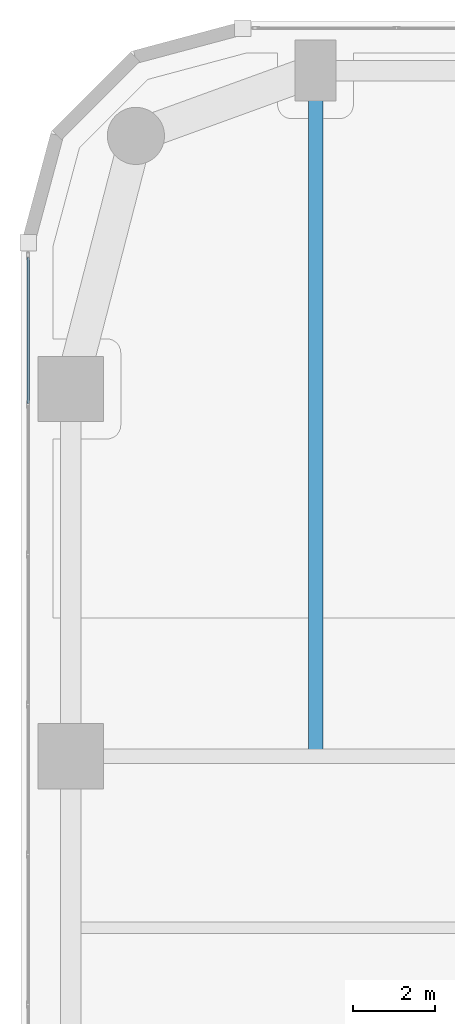
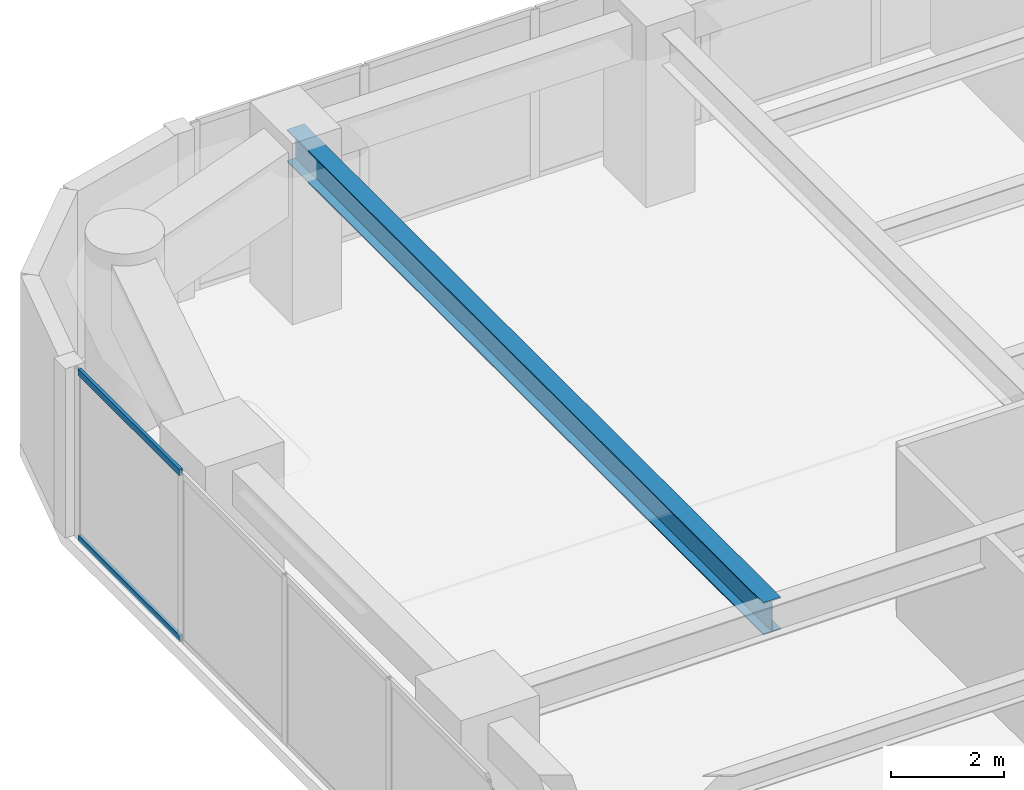
# One storey, part 13 of 28: 2 members, 1 beam, 1 element without a shape of its own.
"""IFC4 building model written with IfcOpenShell, lengths in metres."""

import ifcopenshell
import ifcopenshell.guid

model = None  # the IFC model being written
_history = None  # IfcOwnerHistory: only IFC2X3 demands one
_inside = {}  # id of a spatial element -> (the spatial element, [elements in it])
_under = {}  # id of a project, library or spatial element -> (it, [spatial elements below it])
_declared = {}  # id of a project -> (the project, [libraries it declares])
_typed = {}  # id of a type object -> (the type object, [elements of that type])
_made_of = {}  # id of a material, layer set ... -> (it, [elements and type objects made of it])


def new_model(schema):
    """Start an empty IFC model of exactly this schema.

    Asked for "IFC4X3", IfcOpenShell would pick the latest addendum, in which some entities
    have other attributes; the version numbers below select the first issue.
    IFC2X3 requires an IfcOwnerHistory on every rooted entity: one is made here for all.
    """
    global model, _history
    if schema == "IFC4X3":
        model = ifcopenshell.file(schema_version=(4, 3, 0, 0))
    else:
        model = ifcopenshell.file(schema=schema)
    _inside.clear()
    _under.clear()
    _declared.clear()
    _typed.clear()
    _made_of.clear()
    _history = None
    if model.schema == "IFC2X3":
        org = make("IfcOrganization", Name="unknown")
        user = make(
            "IfcPersonAndOrganization",
            ThePerson=make("IfcPerson", FamilyName="unknown"),
            TheOrganization=org,
        )
        app = make(
            "IfcApplication",
            ApplicationDeveloper=org,
            Version="unknown",
            ApplicationFullName="unknown",
            ApplicationIdentifier="unknown",
        )
        _history = make(
            "IfcOwnerHistory",
            OwningUser=user,
            OwningApplication=app,
            ChangeAction="ADDED",
            CreationDate=0,
        )
    return model


def make(cls, **values):
    """One entity of the class cls with the attributes given. An attribute that is None is left unset."""
    return model.create_entity(
        cls, **{name: value for name, value in values.items() if value is not None}
    )


def rooted(cls, **values):
    """An entity with a GlobalId (a new one), such as an element, a storey or a relation."""
    return make(cls, GlobalId=ifcopenshell.guid.new(), OwnerHistory=_history, **values)


def si_unit(unit_type, name, prefix=None):
    """IfcSIUnit, for example si_unit("LENGTHUNIT", "METRE", prefix="MILLI")."""
    return make("IfcSIUnit", UnitType=unit_type, Prefix=prefix, Name=name)


def assignment(units):
    """IfcUnitAssignment: the units of a project."""
    return None if units is None else make("IfcUnitAssignment", Units=units)


def point(xyz):
    """IfcCartesianPoint."""
    return None if xyz is None else make("IfcCartesianPoint", Coordinates=xyz)


def direction(xyz):
    """IfcDirection."""
    return None if xyz is None else make("IfcDirection", DirectionRatios=xyz)


def frame(location, z_axis=None, x_axis=None):
    """IfcAxis2Placement3D, a coordinate frame: its origin and axes. An axis left out is left unset."""
    return make(
        "IfcAxis2Placement3D",
        Location=point(location),
        Axis=direction(z_axis),
        RefDirection=direction(x_axis),
    )


def frame_2d(location, x_axis=None):
    """IfcAxis2Placement2D, a coordinate frame in the plane: its origin and x axis."""
    return make(
        "IfcAxis2Placement2D", Location=point(location), RefDirection=direction(x_axis)
    )


def origin():
    """The frame at (0, 0, 0) with its axes left unset."""
    return frame((0.0, 0.0, 0.0))


def origin_2d():
    """The frame at (0, 0) in the plane with its x axis left unset."""
    return frame_2d((0.0, 0.0))


def place(relative_to, where):
    """IfcLocalPlacement: puts the frame where relative to a parent placement (None: the world)."""
    return make(
        "IfcLocalPlacement", PlacementRelTo=relative_to, RelativePlacement=where
    )


def context(
    kind, dimensions, precision=None, world=None, true_north=None, identifier=None
):
    """IfcGeometricRepresentationContext, for example the 3D "Model" context."""
    return make(
        "IfcGeometricRepresentationContext",
        ContextIdentifier=identifier,
        ContextType=kind,
        CoordinateSpaceDimension=dimensions,
        Precision=precision,
        WorldCoordinateSystem=world,
        TrueNorth=true_north,
    )


def subcontext(parent, identifier, kind, view, scale=None):
    """IfcGeometricRepresentationSubContext, for example "Body" below "Model"."""
    return make(
        "IfcGeometricRepresentationSubContext",
        ContextIdentifier=identifier,
        ContextType=kind,
        ParentContext=parent,
        TargetScale=scale,
        TargetView=view,
    )


def project(units=None, contexts=None):
    """IfcProject with its units and contexts."""
    return rooted(
        "IfcProject",
        Name="project",
        RepresentationContexts=contexts,
        UnitsInContext=assignment(units),
    )


def spatial(cls, under=None, at=None, **own):
    """A site, building, storey or space (cls), placed at a placement, below another one or the project."""
    s = rooted(cls, ObjectPlacement=at, **own)
    if under is not None:
        _under.setdefault(under.id(), (under, []))[1].append(s)
    return s


def profile(cls, at=None, kind="AREA", **sizes):
    """A parametric profile (cls). Its sizes go by their IFC names, for example OverallWidth=200.0."""
    return make(cls, ProfileType=kind, Position=at, **sizes)


def hollow_rectangle(**sizes):
    """IfcRectangleHollowProfileDef."""
    return profile("IfcRectangleHollowProfileDef", **sizes)


def i_section(**sizes):
    """IfcIShapeProfileDef."""
    return profile("IfcIShapeProfileDef", **sizes)


def extrude(swept, where, along, depth):
    """IfcExtrudedAreaSolid: the profile swept, set in the frame where, extruded along a direction by depth."""
    return make(
        "IfcExtrudedAreaSolid",
        SweptArea=swept,
        Position=where,
        ExtrudedDirection=direction(along),
        Depth=depth,
    )


def shape(context_of_items, identifier, shape_type, items):
    """IfcShapeRepresentation: the items that make up one representation, for example the "Body"."""
    return make(
        "IfcShapeRepresentation",
        ContextOfItems=context_of_items,
        RepresentationIdentifier=identifier,
        RepresentationType=shape_type,
        Items=items,
    )


def material(Name=None, Category=None):
    """IfcMaterial."""
    return make("IfcMaterial", Name=Name, Category=Category)


def layer(
    of_material, thickness, ventilated=None, Name=None, Category=None, Priority=None
):
    """IfcMaterialLayer: one layer of a wall or slab, of a material (None: an air gap)."""
    return make(
        "IfcMaterialLayer",
        Material=of_material,
        LayerThickness=thickness,
        IsVentilated=ventilated,
        Name=Name,
        Category=Category,
        Priority=Priority,
    )


def layer_set(layers, Name=None):
    """IfcMaterialLayerSet."""
    return make("IfcMaterialLayerSet", MaterialLayers=layers, LayerSetName=Name)


def material_profile(
    of_material, cross_section, Name=None, Category=None, Priority=None
):
    """IfcMaterialProfile: a cross section and its material."""
    return make(
        "IfcMaterialProfile",
        Name=Name,
        Material=of_material,
        Profile=cross_section,
        Priority=Priority,
        Category=Category,
    )


def profile_set(profiles, Name=None, composite=None):
    """IfcMaterialProfileSet."""
    return make(
        "IfcMaterialProfileSet",
        Name=Name,
        MaterialProfiles=profiles,
        CompositeProfile=composite,
    )


def made_of(thing, what):
    """Note that an element or type object is made of a material, layer set ...; save() writes the relation."""
    if what is not None:
        _made_of.setdefault(what.id(), (what, []))[1].append(thing)
    return thing


def type_object(cls, material=None, **own):
    """A type object (cls), such as IfcWallType, which elements share."""
    return made_of(rooted(cls, **own), material)


def element(
    cls,
    number,
    at=None,
    inside=None,
    cuts=None,
    type_object=None,
    material=None,
    context=None,
    identifier="Body",
    shape_type=None,
    held_by="IfcProductDefinitionShape",
    body=None,
    shapes=None,
    **own,
):
    """One element of the class cls, such as IfcWall. Its Tag is "e" and its number.

    at: its placement. inside: the storey or other place that contains it. cuts: it is an
    opening in that element (IfcRelVoidsElement). A single representation is given by context,
    identifier, shape_type and body (its items); several are given by shapes. held_by: the class
    of the entity that holds the representations. save() writes the other relations.
    """
    e = rooted(cls, Tag="e%d" % number, ObjectPlacement=at, **own)
    if body is not None:
        shapes = [shape(context, identifier, shape_type, body)]
    if shapes is not None:
        e.Representation = make(held_by, Representations=shapes)
    if inside is not None:
        _inside.setdefault(inside.id(), (inside, []))[1].append(e)
    if cuts is not None:
        rooted(
            "IfcRelVoidsElement", RelatingBuildingElement=cuts, RelatedOpeningElement=e
        )
    if type_object is not None:
        _typed.setdefault(type_object.id(), (type_object, []))[1].append(e)
    return made_of(e, material)


def aggregate(whole, parts):
    """IfcRelAggregates: a whole, such as a stair, and the parts it consists of."""
    return rooted("IfcRelAggregates", RelatingObject=whole, RelatedObjects=parts)


def save(model, path):
    """Write the relations noted so far, then the file.

    IfcRelAggregates (storeys below a building ...), IfcRelContainedInSpatialStructure (elements
    in a storey), IfcRelDefinesByType, IfcRelAssociatesMaterial and IfcRelDeclares: one each for
    every whole, place, type object, material and project.
    """
    for whole, parts in _under.values():
        aggregate(whole, parts)
    for where, things in _inside.values():
        rooted(
            "IfcRelContainedInSpatialStructure",
            RelatedElements=things,
            RelatingStructure=where,
        )
    for kind, things in _typed.values():
        rooted("IfcRelDefinesByType", RelatedObjects=things, RelatingType=kind)
    for what, things in _made_of.values():
        rooted("IfcRelAssociatesMaterial", RelatedObjects=things, RelatingMaterial=what)
    for by, libraries in _declared.values():
        rooted("IfcRelDeclares", RelatingContext=by, RelatedDefinitions=libraries)
    model.write(path)


model = new_model("IFC4")

# Units and contexts
model_context = context("Model", 3, precision=1e-05, world=origin(), true_north=direction((0.0, 1.0)))
body_context = subcontext(model_context, "Body", "Model", "MODEL_VIEW")
ifc_project = project(units=[si_unit("LENGTHUNIT", "METRE"), si_unit("AREAUNIT", "SQUARE_METRE"), si_unit("VOLUMEUNIT", "CUBIC_METRE"), si_unit("PLANEANGLEUNIT", "RADIAN"), si_unit("MASSUNIT", "GRAM", prefix="KILO")], contexts=[model_context])

# Site, building, storey
site_placement = place(None, origin())
site = spatial("IfcSite", under=ifc_project, at=site_placement, CompositionType="ELEMENT")
building_placement = place(site_placement, origin())
building = spatial("IfcBuilding", under=site, at=building_placement, Name="Kiyonajd Concourse Tower", CompositionType="ELEMENT")
storey_placement = place(building_placement, frame((0.0, 0.0, 60.60009765625)))
storey = spatial("IfcBuildingStorey", under=building, at=storey_placement, Name="L16", CompositionType="ELEMENT", Elevation=60.60009765625)

# Beam
ifc_material_1 = material(Name="Steel ASTM A992 Grade 50", Category="steel")
ifc_material_profile_1 = material_profile(ifc_material_1, i_section(OverallWidth=0.35498046875, OverallDepth=0.695068359375, WebThickness=0.015380859375, FlangeThickness=0.02490234375, at=origin_2d()), Name="W690X217")
ifc_profile_set_1 = profile_set([ifc_material_profile_1], Name="Steel ASTM A992 Grade 50")
beam_type = type_object("IfcBeamType", Name="BM-TWR-690", PredefinedType="BEAM", material=ifc_profile_set_1)
beam_placement = place(storey_placement, frame((25.199951171875, 44.39990234375, 3.29248046875), z_axis=(0.0, 1.0, 0.0), x_axis=(-1.0, 0.0, 0.0)))
element("IfcBeam", 1, at=beam_placement, inside=storey, type_object=beam_type, Name="L16 North Lease Girder", PredefinedType="BEAM", context=body_context, shape_type="SweptSolid", body=[
    extrude(i_section(OverallWidth=0.35498046875, OverallDepth=0.695068359375, WebThickness=0.015380859375, FlangeThickness=0.02490234375, at=origin_2d()), origin(), (0.0, 0.0, 1.0), 16.800048828125),
])

# Curtain wall, members
ifc_material_2 = material(Name="Thermally Broken Anodised Aluminium", Category="aluminium")
ifc_layer = layer(ifc_material_2, 0.179931640625)
ifc_layer_set = layer_set([ifc_layer], Name="Thermally Broken Anodised Aluminium")
curtain_wall_type = type_object("IfcCurtainWallType", Name="CW-SYS-02", PredefinedType="NOTDEFINED", material=ifc_layer_set)
curtain_wall_placement = place(storey_placement, origin())
curtain_wall = element("IfcCurtainWall", 2, at=curtain_wall_placement, inside=storey, type_object=curtain_wall_type, Name="L16 Unitised Curtain Wall CW2", PredefinedType="NOTDEFINED")
ifc_material_profile_2 = material_profile(ifc_material_2, hollow_rectangle(XDim=0.06494140625, YDim=0.139892578125, WallThickness=0.00390625, at=origin_2d()), Name="TRAN-65x140")
ifc_profile_set_2 = profile_set([ifc_material_profile_2], Name="Thermally Broken Anodised Aluminium")
member_type = type_object("IfcMemberType", Name="MB-CW-TRAN1", PredefinedType="USERDEFINED", material=ifc_profile_set_2)
member_1_placement = place(storey_placement, frame((18.159912109375, 53.04833984375, 0.032470703125), z_axis=(0.0, 1.0, 0.0), x_axis=(-1.0, 0.0, 0.0)))
member_1 = element("IfcMember", 3, at=member_1_placement, type_object=member_type, Name="CW2 transom 6.1", ObjectType="TRANSOM", PredefinedType="USERDEFINED", context=body_context, shape_type="SweptSolid", body=[
    extrude(hollow_rectangle(XDim=0.06494140625, YDim=0.139892578125, WallThickness=0.00390625, at=origin_2d()), origin(), (0.0, 0.0, 1.0), 3.575439453125),
])
member_2_placement = place(storey_placement, frame((18.159912109375, 53.04833984375, 3.607421875), z_axis=(0.0, 1.0, 0.0), x_axis=(-1.0, 0.0, 0.0)))
member_2 = element("IfcMember", 4, at=member_2_placement, type_object=member_type, Name="CW2 transom 6.2", ObjectType="TRANSOM", PredefinedType="USERDEFINED", context=body_context, shape_type="SweptSolid", body=[
    extrude(hollow_rectangle(XDim=0.06494140625, YDim=0.139892578125, WallThickness=0.00390625, at=origin_2d()), origin(), (0.0, 0.0, 1.0), 3.575439453125),
])
aggregate(curtain_wall, [member_1, member_2])

save(model, "model.ifc")
